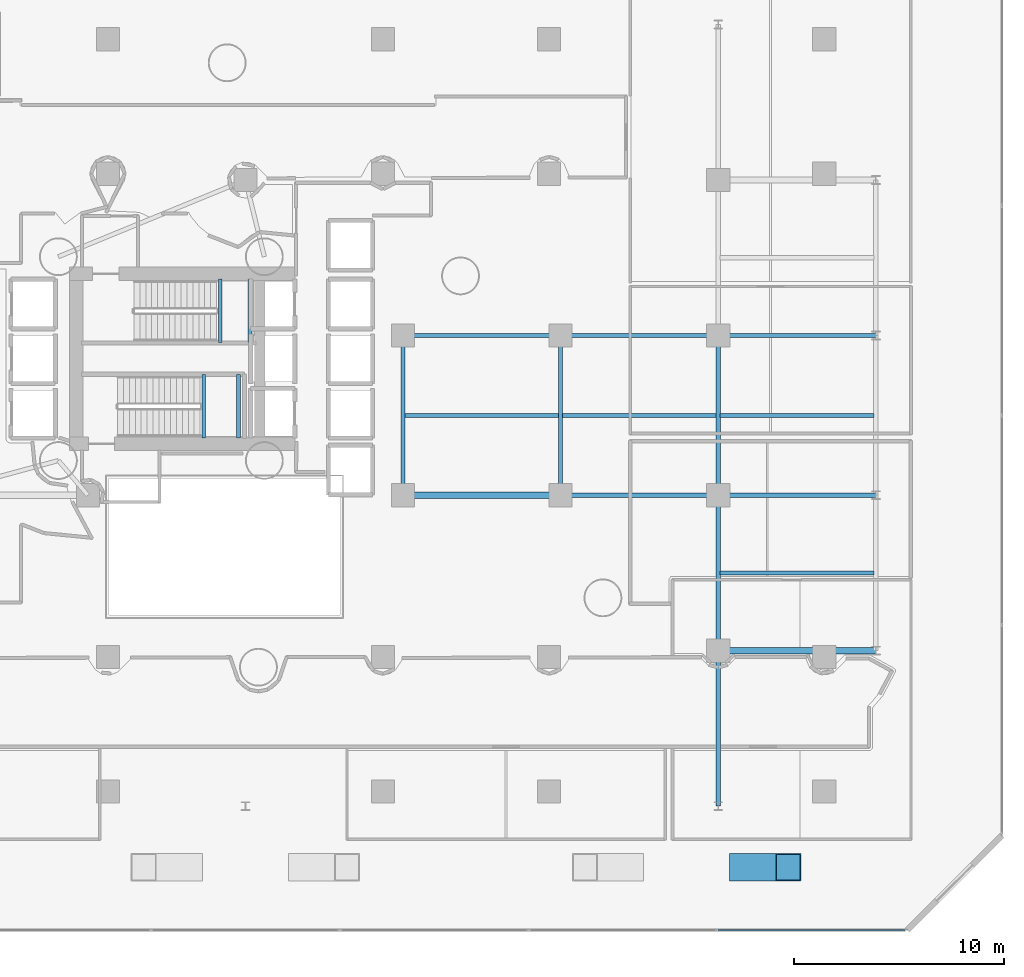
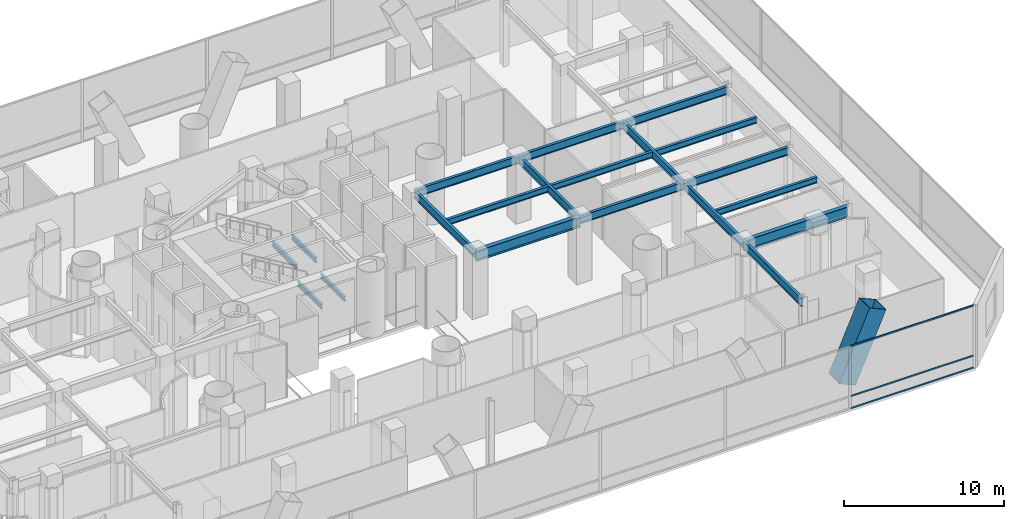
# One storey, part 14 of 42: 20 beams, 4 members, 1 element without a shape of its own.
"""IFC4 building model written with IfcOpenShell, lengths in metres."""

from ifc_helpers import new_model, si_unit, direction, frame, origin, origin_2d, place, context, subcontext, project, spatial, hollow_rectangle, i_section, extrude, material, layer, layer_set, material_profile, profile_set, type_object, element, aggregate, save


model = new_model("IFC4")

# Units and contexts
model_context = context("Model", 3, precision=1e-05, world=origin(), true_north=direction((0.0, 1.0)))
body_context = subcontext(model_context, "Body", "Model", "MODEL_VIEW")
ifc_project = project(units=[si_unit("LENGTHUNIT", "METRE"), si_unit("AREAUNIT", "SQUARE_METRE"), si_unit("VOLUMEUNIT", "CUBIC_METRE"), si_unit("PLANEANGLEUNIT", "RADIAN"), si_unit("MASSUNIT", "GRAM", prefix="KILO")], contexts=[model_context])

# Site, building, storey
site_placement = place(None, origin())
site = spatial("IfcSite", under=ifc_project, at=site_placement, CompositionType="ELEMENT")
building_placement = place(site_placement, origin())
building = spatial("IfcBuilding", under=site, at=building_placement, Name="Qianvela Tower", CompositionType="ELEMENT")
storey_placement = place(building_placement, frame((0.0, 0.0, 6.0)))
storey = spatial("IfcBuildingStorey", under=building, at=storey_placement, Name="L01", CompositionType="ELEMENT", Elevation=6.0)

# Beams
ifc_material_1 = material(Name="Steel Q355B", Category="steel")
ifc_material_profile_1 = material_profile(ifc_material_1, i_section(OverallWidth=0.175048828125, OverallDepth=0.35009765625, WebThickness=0.007080078125, FlangeThickness=0.010986328125, at=origin_2d()), Name="HN350x175x7x11")
ifc_profile_set_1 = profile_set([ifc_material_profile_1], Name="Steel Q355B")
beam_type_1 = type_object("IfcBeamType", Name="BM-HN350-JOIST", PredefinedType="JOIST", material=ifc_profile_set_1)
for number, where, z_axis, x_axis, name in (
    (1, (36.300048828125, 29.4599609375, 2.125), (0.0, 1.0, 0.0), (-1.0, 0.0, 0.0), "L01 Stair ST-1 Landing Support Beam 1.1"),
    (2, (37.719970703125, 29.4599609375, 2.125), (0.0, 1.0, 0.0), (-1.0, 0.0, 0.0), "L01 Stair ST-1 Landing Support Beam 1.2"),
    (3, (35.52001953125, 24.919921875, 2.125), (0.0, 1.0, 0.0), (-1.0, 0.0, 0.0), "L01 Stair ST-2 Landing Support Beam 1.1"),
    (4, (37.169921875, 24.919921875, 2.125), (0.0, 1.0, 0.0), (-1.0, 0.0, 0.0), "L01 Stair ST-2 Landing Support Beam 1.2"),
):
    element("IfcBeam", number, at=place(storey_placement, frame(where, z_axis=z_axis, x_axis=x_axis)), inside=storey, type_object=beam_type_1, Name=name, PredefinedType="JOIST", context=body_context, shape_type="SweptSolid", body=[
        extrude(i_section(OverallWidth=0.175048828125, OverallDepth=0.35009765625, WebThickness=0.007080078125, FlangeThickness=0.010986328125, at=origin_2d()), origin(), (0.0, 0.0, 1.0), 3.02001953125),
    ])
ifc_material_2 = material(Name="Steel Q355B", Category="steel")
ifc_material_profile_2 = material_profile(ifc_material_2, i_section(OverallWidth=0.199951171875, OverallDepth=0.449951171875, WebThickness=0.009033203125, FlangeThickness=0.013916015625, at=origin_2d()), Name="HN450x200x9x14")
ifc_profile_set_2 = profile_set([ifc_material_profile_2], Name="Steel Q355B")
beam_type_2 = type_object("IfcBeamType", Name="BM-HN450-JOIST", PredefinedType="JOIST", material=ifc_profile_set_2)
for number, where, z_axis, x_axis, name in (
    (5, (45.095947265625, 26.0, 4.552978515625), (1.0, 0.0, 0.0), (0.0, 1.0, 0.0), "L01 Secondary Floor Joist 46"),
    (6, (52.595947265625, 26.0, 4.552978515625), (1.0, 0.0, 0.0), (0.0, 1.0, 0.0), "L01 Secondary Floor Joist 47"),
    (7, (60.095947265625, 18.5, 4.552978515625), (1.0, 0.0, 0.0), (0.0, 1.0, 0.0), "L01 Secondary Floor Joist 48"),
    (8, (60.095947265625, 26.0, 4.552978515625), (1.0, 0.0, 0.0), (0.0, 1.0, 0.0), "L01 Secondary Floor Joist 49"),
):
    element("IfcBeam", number, at=place(storey_placement, frame(where, z_axis=z_axis, x_axis=x_axis)), inside=storey, type_object=beam_type_2, Name=name, PredefinedType="JOIST", context=body_context, shape_type="SweptSolid", body=[
        extrude(i_section(OverallWidth=0.199951171875, OverallDepth=0.449951171875, WebThickness=0.009033203125, FlangeThickness=0.013916015625, at=origin_2d()), origin(), (0.0, 0.0, 1.0), 7.30810546875),
    ])
ifc_material_3 = material(Name="Steel Q355B", Category="steel")
ifc_material_profile_3 = material_profile(ifc_material_3, i_section(OverallWidth=0.199951171875, OverallDepth=0.60009765625, WebThickness=0.010986328125, FlangeThickness=0.01708984375, at=origin_2d()), Name="HN600x200x11x17")
ifc_profile_set_3 = profile_set([ifc_material_profile_3], Name="Steel Q355B")
beam_type_3 = type_object("IfcBeamType", Name="BM-HN600-GIRD", PredefinedType="BEAM", material=ifc_profile_set_3)
for number, where, z_axis, x_axis, name in (
    (9, (52.5, 22.199951171875, 4.47802734375), (1.0, 0.0, 0.0), (0.0, 1.0, 0.0), "L01 East-West Grid Girder 7"),
    (10, (60.0, 22.199951171875, 4.47802734375), (1.0, 0.0, 0.0), (0.0, 1.0, 0.0), "L01 East-West Grid Girder 8"),
    (11, (45.0, 29.800048828125, 4.47802734375), (1.0, 0.0, 0.0), (0.0, 1.0, 0.0), "L01 East-West Grid Girder 11"),
    (12, (52.5, 29.800048828125, 4.47802734375), (1.0, 0.0, 0.0), (0.0, 1.0, 0.0), "L01 East-West Grid Girder 12"),
    (13, (60.0, 29.800048828125, 4.47802734375), (1.0, 0.0, 0.0), (0.0, 1.0, 0.0), "L01 East-West Grid Girder 13"),
):
    element("IfcBeam", number, at=place(storey_placement, frame(where, z_axis=z_axis, x_axis=x_axis)), inside=storey, type_object=beam_type_3, Name=name, PredefinedType="BEAM", context=body_context, shape_type="SweptSolid", body=[
        extrude(i_section(OverallWidth=0.199951171875, OverallDepth=0.60009765625, WebThickness=0.010986328125, FlangeThickness=0.01708984375, at=origin_2d()), origin(), (0.0, 0.0, 1.0), 7.5),
    ])
for number, where, z_axis, x_axis, name in (
    (14, (45.0, 22.199951171875, 4.47802734375), (0.0, 1.0, 0.0), (-1.0, 0.0, 0.0), "L01 North-South Grid Girder 25"),
    (15, (52.5, 22.199951171875, 4.47802734375), (0.0, 1.0, 0.0), (-1.0, 0.0, 0.0), "L01 North-South Grid Girder 26"),
):
    element("IfcBeam", number, at=place(storey_placement, frame(where, z_axis=z_axis, x_axis=x_axis)), inside=storey, type_object=beam_type_3, Name=name, PredefinedType="BEAM", context=body_context, shape_type="SweptSolid", body=[
        extrude(i_section(OverallWidth=0.199951171875, OverallDepth=0.60009765625, WebThickness=0.010986328125, FlangeThickness=0.01708984375, at=origin_2d()), origin(), (0.0, 0.0, 1.0), 7.60009765625),
    ])
beam_1_placement = place(storey_placement, frame((60.0, 7.39990234375, 4.47802734375), z_axis=(0.0, 1.0, 0.0), x_axis=(-1.0, 0.0, 0.0)))
element("IfcBeam", 16, at=beam_1_placement, inside=storey, type_object=beam_type_3, Name="L01 North-South Grid Girder 27", PredefinedType="BEAM", context=body_context, shape_type="SweptSolid", body=[
    extrude(i_section(OverallWidth=0.199951171875, OverallDepth=0.60009765625, WebThickness=0.010986328125, FlangeThickness=0.01708984375, at=origin_2d()), origin(), (0.0, 0.0, 1.0), 7.400146484375),
])
beam_2_placement = place(storey_placement, frame((60.0, 14.800048828125, 4.47802734375), z_axis=(0.0, 1.0, 0.0), x_axis=(-1.0, 0.0, 0.0)))
element("IfcBeam", 17, at=beam_2_placement, inside=storey, type_object=beam_type_3, Name="L01 North-South Grid Girder 28", PredefinedType="BEAM", context=body_context, shape_type="SweptSolid", body=[
    extrude(i_section(OverallWidth=0.199951171875, OverallDepth=0.60009765625, WebThickness=0.010986328125, FlangeThickness=0.01708984375, at=origin_2d()), origin(), (0.0, 0.0, 1.0), 7.39990234375),
])
beam_3_placement = place(storey_placement, frame((60.0, 22.199951171875, 4.47802734375), z_axis=(0.0, 1.0, 0.0), x_axis=(-1.0, 0.0, 0.0)))
element("IfcBeam", 18, at=beam_3_placement, inside=storey, type_object=beam_type_3, Name="L01 North-South Grid Girder 29", PredefinedType="BEAM", context=body_context, shape_type="SweptSolid", body=[
    extrude(i_section(OverallWidth=0.199951171875, OverallDepth=0.60009765625, WebThickness=0.010986328125, FlangeThickness=0.01708984375, at=origin_2d()), origin(), (0.0, 0.0, 1.0), 7.60009765625),
])
ifc_material_4 = material(Name="Steel Q355B", Category="steel")
ifc_material_profile_4 = material_profile(ifc_material_4, i_section(OverallWidth=0.300048828125, OverallDepth=0.800048828125, WebThickness=0.013916015625, FlangeThickness=0.02587890625, at=origin_2d()), Name="HN800x300x14x26")
ifc_profile_set_4 = profile_set([ifc_material_profile_4], Name="Steel Q355B")
beam_type_4 = type_object("IfcBeamType", Name="BM-HN800-SPAND", PredefinedType="SPANDREL", material=ifc_profile_set_4)
for number, where, z_axis, x_axis, name in (
    (19, (60.0, 14.800048828125, 4.3779296875), (1.0, 0.0, 0.0), (0.0, 1.0, 0.0), "L01 East-West Grid Girder 2"),
    (20, (45.0, 22.199951171875, 4.3779296875), (1.0, 0.0, 0.0), (0.0, 1.0, 0.0), "L01 East-West Grid Girder 6"),
):
    element("IfcBeam", number, at=place(storey_placement, frame(where, z_axis=z_axis, x_axis=x_axis)), inside=storey, type_object=beam_type_4, Name=name, PredefinedType="SPANDREL", context=body_context, shape_type="SweptSolid", body=[
        extrude(i_section(OverallWidth=0.300048828125, OverallDepth=0.800048828125, WebThickness=0.013916015625, FlangeThickness=0.02587890625, at=origin_2d()), origin(), (0.0, 0.0, 1.0), 7.5),
    ])

# Curtain wall, members
ifc_material_5 = material(Name="Anodised Architectural Aluminium and Low-E Glass", Category="aluminium")
ifc_layer = layer(ifc_material_5, 0.179931640625)
ifc_layer_set = layer_set([ifc_layer], Name="Anodised Architectural Aluminium and Low-E Glass")
curtain_wall_type = type_object("IfcCurtainWallType", Name="CW-COMMONS", PredefinedType="USERDEFINED", material=ifc_layer_set)
curtain_wall_placement = place(storey_placement, origin())
curtain_wall = element("IfcCurtainWall", 21, at=curtain_wall_placement, inside=storey, type_object=curtain_wall_type, Name="L01 CW-COMMONS Curtain Wall 01", ObjectType="CURTAIN_WALL_SYSTEM", PredefinedType="USERDEFINED")
ifc_material_6 = material(Name="Anodised Architectural Aluminium 6063-T6", Category="aluminium")
ifc_material_profile_5 = material_profile(ifc_material_6, hollow_rectangle(XDim=0.06005859375, YDim=0.114990234375, WallThickness=0.00390625, at=origin_2d()), Name="ALU-TRAN-60x115")
ifc_profile_set_5 = profile_set([ifc_material_profile_5], Name="Anodised Architectural Aluminium 6063-T6")
member_type_1 = type_object("IfcMemberType", Name="CW-COMMONS-TRAN", PredefinedType="USERDEFINED", material=ifc_profile_set_5)
member_1_placement = place(storey_placement, frame((59.999267578125, 1.5, 0.030029296875), z_axis=(1.0, 0.0, 0.0), x_axis=(0.0, 1.0, 0.0)))
member_1 = element("IfcMember", 22, at=member_1_placement, type_object=member_type_1, Name="CW-2 transom 7.1", ObjectType="TRANSOM", PredefinedType="USERDEFINED", context=body_context, shape_type="SweptSolid", body=[
    extrude(hollow_rectangle(XDim=0.06005859375, YDim=0.114990234375, WallThickness=0.00390625, at=origin_2d()), origin(), (0.0, 0.0, 1.0), 8.880615234375),
])
member_2_placement = place(storey_placement, frame((59.999267578125, 1.5, 0.949951171875), z_axis=(1.0, 0.0, 0.0), x_axis=(0.0, 1.0, 0.0)))
member_2 = element("IfcMember", 23, at=member_2_placement, type_object=member_type_1, Name="CW-2 transom 7.2", ObjectType="TRANSOM", PredefinedType="USERDEFINED", context=body_context, shape_type="SweptSolid", body=[
    extrude(hollow_rectangle(XDim=0.06005859375, YDim=0.114990234375, WallThickness=0.00390625, at=origin_2d()), origin(), (0.0, 0.0, 1.0), 8.880615234375),
])
member_3_placement = place(storey_placement, frame((59.999267578125, 1.5, 4.75), z_axis=(1.0, 0.0, 0.0), x_axis=(0.0, 1.0, 0.0)))
member_3 = element("IfcMember", 24, at=member_3_placement, type_object=member_type_1, Name="CW-2 transom 7.3", ObjectType="TRANSOM", PredefinedType="USERDEFINED", context=body_context, shape_type="SweptSolid", body=[
    extrude(hollow_rectangle(XDim=0.06005859375, YDim=0.114990234375, WallThickness=0.00390625, at=origin_2d()), origin(), (0.0, 0.0, 1.0), 8.880615234375),
])
aggregate(curtain_wall, [member_1, member_2, member_3])

# Member
ifc_material_7 = material(Name="Steel Q420GJC", Category="steel")
ifc_material_profile_6 = material_profile(ifc_material_7, hollow_rectangle(XDim=1.300048828125, YDim=1.300048828125, WallThickness=0.044921875, at=origin_2d()), Name="VBOX-1300x1300x45")
ifc_profile_set_6 = profile_set([ifc_material_profile_6], Name="Steel Q420GJC")
member_type_2 = type_object("IfcMemberType", Name="MBR-VCOL-1300", PredefinedType="POST", material=ifc_profile_set_6)
member_4_placement = place(storey_placement, frame((61.139404296875, 4.5, 0.0), z_axis=(0.402618783225, 0.0, 0.915367748719), x_axis=(0.0, 1.0, 0.0)))
element("IfcMember", 25, at=member_4_placement, inside=storey, type_object=member_type_2, Name="L01 Concourse Inclined V-Column VC-S3 Leg R", PredefinedType="POST", context=body_context, shape_type="SweptSolid", body=[
    extrude(hollow_rectangle(XDim=1.300048828125, YDim=1.300048828125, WallThickness=0.044921875, at=origin_2d()), origin(), (0.0, 0.0, 1.0), 5.46240234375),
])

save(model, "model.ifc")
